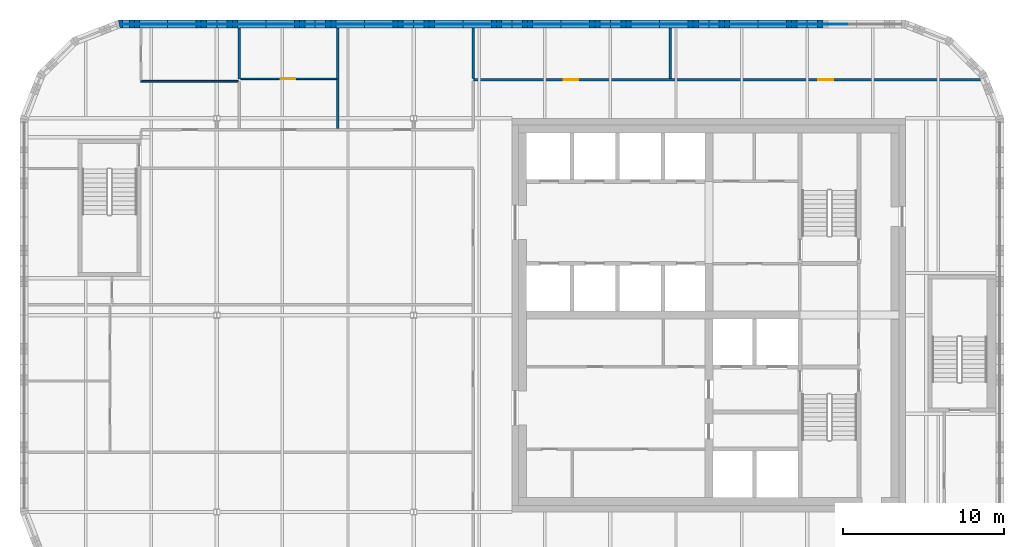
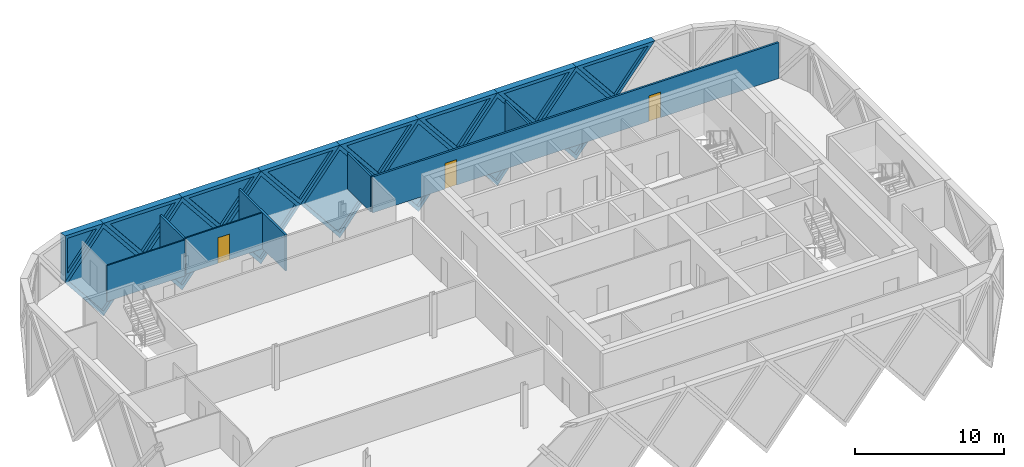
# One storey, part 10 of 12: 22 walls, 15 plates, 3 doors, 18 openings.
"""IFC4 building model written with IfcOpenShell, lengths in metres."""

from ifc_helpers import new_model, si_unit, direction, frame, frame_2d, origin, place, context, subcontext, project, spatial, polyline, rectangle, outline, extrude, faceted_brep, source, transform, mapped, material, layer, layer_set, type_object, element, fill, save


model = new_model("IFC4")

# Units and contexts
model_context = context("Model", 3, precision=1e-05, world=origin(), true_north=direction((0.0, 1.0)))
body_context = subcontext(model_context, "Body", "Model", "MODEL_VIEW")
ifc_project = project(units=[si_unit("LENGTHUNIT", "METRE"), si_unit("AREAUNIT", "SQUARE_METRE"), si_unit("VOLUMEUNIT", "CUBIC_METRE"), si_unit("PLANEANGLEUNIT", "RADIAN"), si_unit("MASSUNIT", "GRAM", prefix="KILO")], contexts=[model_context])

# Site, building, storey
site_placement = place(None, origin())
site = spatial("IfcSite", under=ifc_project, at=site_placement, CompositionType="ELEMENT")
building_placement = place(site_placement, origin())
building = spatial("IfcBuilding", under=site, at=building_placement, Name="Tessera Gate Towers", CompositionType="ELEMENT")
storey_placement = place(building_placement, frame((0.0, 0.0, 255.89990234375)))
storey = spatial("IfcBuildingStorey", under=building, at=storey_placement, Name="L64", CompositionType="ELEMENT", Elevation=255.89990234375)

# Wall, openings, doors
ifc_material_1 = material(Name="Gypsum board on steel studs, mineral wool", Category="steel")
ifc_layer_1 = layer(ifc_material_1, 0.14990234375)
ifc_layer_set_1 = layer_set([ifc_layer_1], Name="CORRIDOR WALL 150")
wall_type_1 = type_object("IfcWallType", Name="CORRIDOR WALL 150", PredefinedType="PARTITIONING", material=ifc_layer_set_1)
wall_1_placement = place(storey_placement, frame((28.10009765625, 51.199951171875, 0.0), z_axis=(0.0, 0.0, 1.0), x_axis=(1.0, 0.0, 0.0)))
wall_1 = element("IfcWall", 1, at=wall_1_placement, inside=storey, type_object=wall_type_1, Name="T1-L64-PW-025", PredefinedType="PARTITIONING", context=body_context, shape_type="SweptSolid", body=[
    extrude(rectangle(XDim=31.438232421875, YDim=0.14990234375, at=frame_2d((15.71923828125, 0.0))), origin(), (0.0, 0.0, 1.0), 2.947021484375),
])
shared_shape_1 = source(origin(), body_context, "Body", "SweptSolid", [
    extrude(rectangle(XDim=0.89990234375, YDim=2.10009765625, at=frame_2d((0.449951171875, 1.050048828125))), frame((0.0, 0.0849609375, 0.0), z_axis=(0.0, -1.0, 0.0), x_axis=(1.0, 0.0, 0.0)), (0.0, 0.0, 1.0), 0.169921875),
])
opening_1_placement = place(wall_1_placement, frame((5.60009765625, 0.0, 0.0)))
opening_1 = element("IfcOpeningElement", 2, at=opening_1_placement, cuts=wall_1, Name="Opening D890FD60-A22-06", PredefinedType="OPENING", context=body_context, shape_type="MappedRepresentation", body=[
    mapped(shared_shape_1, transform((0.0, 0.0, 0.0), scale=1.0)),
])
opening_2_placement = place(wall_1_placement, frame((21.39990234375, 0.0, 0.0)))
opening_2 = element("IfcOpeningElement", 3, at=opening_2_placement, cuts=wall_1, Name="Opening D890FD60-A22-09", PredefinedType="OPENING", context=body_context, shape_type="MappedRepresentation", body=[
    mapped(shared_shape_1, transform((0.0, 0.0, 0.0), scale=1.0)),
])
ifc_material_2 = material(Name="Timber door leaf in steel frame", Category="steel")
door_type_1 = type_object("IfcDoorType", Name="CORRIDOR DOOR 900 FD60", OperationType="NOTDEFINED", PredefinedType="DOOR", material=ifc_material_2)
shared_shape_2 = source(origin(), body_context, "Body", "SweptSolid", [
    extrude(rectangle(XDim=0.89990234375, YDim=2.10009765625, at=frame_2d((0.449951171875, 1.050048828125))), frame((0.0, 0.02490234375, 0.0), z_axis=(0.0, -1.0, 0.0), x_axis=(1.0, 0.0, 0.0)), (0.0, 0.0, 1.0), 0.050048828125),
])
door_1_placement = place(opening_1_placement, origin())
door_1 = element("IfcDoor", 4, at=door_1_placement, inside=storey, type_object=door_type_1, Name="T1-L64-PD-013", OperationType="SINGLE_SWING_LEFT", OverallHeight=2.10009765625, OverallWidth=0.89990234375, PredefinedType="DOOR", context=body_context, shape_type="MappedRepresentation", body=[
    mapped(shared_shape_2, transform((0.0, 0.0, 0.0), scale=1.0)),
])
fill(opening_1, door_1)
door_2_placement = place(opening_2_placement, origin())
door_2 = element("IfcDoor", 5, at=door_2_placement, inside=storey, type_object=door_type_1, Name="T1-L64-PD-016", OperationType="SINGLE_SWING_LEFT", OverallHeight=2.10009765625, OverallWidth=0.89990234375, PredefinedType="DOOR", context=body_context, shape_type="MappedRepresentation", body=[
    mapped(shared_shape_2, transform((0.0, 0.0, 0.0), scale=1.0)),
])
fill(opening_2, door_2)

# Wall
ifc_material_3 = material(Name="Gypsum board on steel studs", Category="steel")
ifc_layer_2 = layer(ifc_material_3, 0.10009765625)
ifc_layer_set_2 = layer_set([ifc_layer_2], Name="PARTITION 100")
wall_type_2 = type_object("IfcWallType", Name="PARTITION 100", PredefinedType="PARTITIONING", material=ifc_layer_set_2)
wall_2_placement = place(storey_placement, frame((7.5, 51.10009765625, 0.0), z_axis=(0.0, 0.0, 1.0), x_axis=(1.0, 0.0, 0.0)))
element("IfcWall", 6, at=wall_2_placement, inside=storey, type_object=wall_type_2, Name="T1-L64-PW-023", PredefinedType="PARTITIONING", context=body_context, shape_type="SweptSolid", body=[
    extrude(rectangle(XDim=6.02392578125, YDim=0.10009765625, at=frame_2d((3.011962890625, 0.0))), origin(), (0.0, 0.0, 1.0), 2.947021484375),
])

# Wall, opening, door
wall_3_placement = place(storey_placement, frame((13.676025390625, 51.25, 0.0), z_axis=(0.0, 0.0, 1.0), x_axis=(1.0, 0.0, 0.0)))
wall_3 = element("IfcWall", 7, at=wall_3_placement, inside=storey, type_object=wall_type_2, Name="T1-L64-PW-027", PredefinedType="PARTITIONING", context=body_context, shape_type="SweptSolid", body=[
    extrude(rectangle(XDim=5.947998046875, YDim=0.10009765625, at=frame_2d((2.97412109375, 0.0))), origin(), (0.0, 0.0, 1.0), 2.947021484375),
])
shared_shape_3 = source(origin(), body_context, "Body", "SweptSolid", [
    extrude(rectangle(XDim=0.89990234375, YDim=2.10009765625, at=frame_2d((0.449951171875, 1.050048828125))), frame((0.0, 0.06005859375, 0.0), z_axis=(0.0, -1.0, 0.0), x_axis=(1.0, 0.0, 0.0)), (0.0, 0.0, 1.0), 0.1201171875),
])
opening_3_placement = place(wall_3_placement, frame((2.5, 0.0, 0.0)))
opening_3 = element("IfcOpeningElement", 8, at=opening_3_placement, cuts=wall_3, Name="Opening D190-A22-03", PredefinedType="OPENING", context=body_context, shape_type="MappedRepresentation", body=[
    mapped(shared_shape_3, transform((0.0, 0.0, 0.0), scale=1.0)),
])
ifc_material_4 = material(Name="Timber door leaf in steel frame", Category="steel")
door_type_2 = type_object("IfcDoorType", Name="INTERNAL DOOR 900 NOT RATED", OperationType="NOTDEFINED", PredefinedType="DOOR", material=ifc_material_4)
door_3_placement = place(opening_3_placement, origin())
door_3 = element("IfcDoor", 9, at=door_3_placement, inside=storey, type_object=door_type_2, Name="T1-L64-PD-004", OperationType="SINGLE_SWING_LEFT", OverallHeight=2.10009765625, OverallWidth=0.89990234375, PredefinedType="DOOR", context=body_context, shape_type="MappedRepresentation", body=[
    mapped(shared_shape_2, transform((0.0, 0.0, 0.0), scale=1.0)),
])
fill(opening_3, door_3)

# Walls
ifc_material_5 = material(Name="Gypsum board on steel studs, mineral wool", Category="steel")
ifc_layer_3 = layer(ifc_material_5, 0.14990234375)
ifc_layer_set_3 = layer_set([ifc_layer_3], Name="TENANCY WALL 150")
wall_type_3 = type_object("IfcWallType", Name="TENANCY WALL 150", PredefinedType="PARTITIONING", material=ifc_layer_set_3)
wall_4_placement = place(storey_placement, frame((19.699951171875, 48.176025390625, 0.0), z_axis=(0.0, 0.0, 1.0), x_axis=(0.0, 1.0, 0.0)))
element("IfcWall", 10, at=wall_4_placement, inside=storey, type_object=wall_type_3, Name="T1-L64-PW-019", PredefinedType="PARTITIONING", context=body_context, shape_type="SweptSolid", body=[
    extrude(rectangle(XDim=6.223876953125, YDim=0.14990234375, at=frame_2d((3.11181640625, 0.0))), origin(), (0.0, 0.0, 1.0), 2.947021484375),
])
wall_5_placement = place(storey_placement, frame((13.60009765625, 51.25, 0.0), z_axis=(0.0, 0.0, 1.0), x_axis=(0.0, 1.0, 0.0)))
element("IfcWall", 11, at=wall_5_placement, inside=storey, type_object=wall_type_3, Name="T1-L64-PW-026", PredefinedType="PARTITIONING", context=body_context, shape_type="SweptSolid", body=[
    extrude(rectangle(XDim=3.14990234375, YDim=0.14990234375, at=frame_2d((1.574951171875, 0.0))), origin(), (0.0, 0.0, 1.0), 2.947021484375),
])
for number, where, z_axis, x_axis, name in (
    (12, (28.10009765625, 51.27587890625, 0.0), (0.0, 0.0, 1.0), (0.0, 1.0, 0.0), "T1-L64-PW-028"),
    (13, (40.300048828125, 51.27587890625, 0.0), (0.0, 0.0, 1.0), (0.0, 1.0, 0.0), "T1-L64-PW-029"),
):
    element("IfcWall", number, at=place(storey_placement, frame(where, z_axis=z_axis, x_axis=x_axis)), inside=storey, type_object=wall_type_3, Name=name, PredefinedType="PARTITIONING", context=body_context, shape_type="SweptSolid", body=[
        extrude(rectangle(XDim=3.1240234375, YDim=0.14990234375, at=frame_2d((1.56201171875, 0.0))), origin(), (0.0, 0.0, 1.0), 2.947021484375),
    ])

# Wall, opening, plate
ifc_material_6 = material(Name="Precast concrete C60/75 white", Category="concrete")
ifc_layer_4 = layer(ifc_material_6, 0.5)
ifc_layer_set_4 = layer_set([ifc_layer_4], Name="TS1 tessera")
wall_type_4 = type_object("IfcWallType", Name="TS1 tessera", PredefinedType="SOLIDWALL", material=ifc_layer_set_4)
shared_shape_4 = source(origin(), body_context, "Body", "Brep", [
    faceted_brep([(3.050048828125, -0.25, 0.0), (6.099853515625, -0.25, 3.799560546875), (6.099853515625, -0.25, 3.800048828125), (3.050048828125, -0.25, 7.599853515625), (0.0, -0.25, 3.7998046875), (0.0, 0.25, 3.7998046875), (3.050048828125, 0.25, 7.599853515625), (6.099853515625, 0.25, 3.800048828125), (6.099853515625, 0.25, 3.799560546875), (3.050048828125, 0.25, 0.0)], [[[0, 1, 2, 3, 4]], [[5, 6, 7, 8, 9]], [[9, 8, 1, 0]], [[7, 6, 3, 2]], [[6, 5, 4, 3]], [[5, 9, 0, 4]], [[1, 8, 7, 2]]]),
])
wall_6_placement = place(storey_placement, frame((42.699951171875, 54.64990234375, -3.7998046875), z_axis=(0.0, 0.0, 1.0), x_axis=(-1.0, 0.0, 0.0)))
wall_6 = element("IfcWall", 14, at=wall_6_placement, inside=storey, type_object=wall_type_4, Name="Precast tessera T1 TS1-1136", PredefinedType="SOLIDWALL", context=body_context, shape_type="MappedRepresentation", body=[
    mapped(shared_shape_4, transform((0.0, 0.0, 0.0), scale=1.0)),
])
shared_shape_5 = source(origin(), body_context, "Body", "SweptSolid", [
    extrude(outline(polyline([(3.050048828125, 0.3994140625), (5.779541015625, 3.7998046875), (3.050048828125, 7.200439453125), (0.320556640625, 3.7998046875), (3.050048828125, 0.3994140625)])), frame((0.0, 0.260009765625, 0.0), z_axis=(0.0, -1.0, 0.0), x_axis=(1.0, 0.0, 0.0)), (0.0, 0.0, 1.0), 0.52001953125),
])
opening_4_placement = place(wall_6_placement, origin())
opening_4 = element("IfcOpeningElement", 15, at=opening_4_placement, cuts=wall_6, Name="Opening T1-PL2-2292", PredefinedType="OPENING", context=body_context, shape_type="MappedRepresentation", body=[
    mapped(shared_shape_5, transform((0.0, 0.0, 0.0), scale=1.0)),
])
ifc_material_7 = material(Name="Low-e laminated glass", Category="glass")
ifc_layer_5 = layer(ifc_material_7, 0.06005859375)
ifc_layer_set_5 = layer_set([ifc_layer_5], Name="PL2 rhombic pane")
plate_type_1 = type_object("IfcPlateType", Name="PL2 rhombic pane", PredefinedType="SHEET", material=ifc_layer_set_5)
shared_shape_6 = source(origin(), body_context, "Body", "SweptSolid", [
    extrude(outline(polyline([(3.050048828125, 0.3994140625), (5.779541015625, 3.7998046875), (3.050048828125, 7.200439453125), (0.320556640625, 3.7998046875), (3.050048828125, 0.3994140625)])), frame((0.0, 0.030029296875, 0.0), z_axis=(0.0, -1.0, 0.0), x_axis=(1.0, 0.0, 0.0)), (0.0, 0.0, 1.0), 0.06005859375),
])
plate_1_placement = place(opening_4_placement, origin())
plate_1 = element("IfcPlate", 16, at=plate_1_placement, inside=storey, type_object=plate_type_1, Name="Glass pane T1 PL2-2292", PredefinedType="SHEET", context=body_context, shape_type="MappedRepresentation", body=[
    mapped(shared_shape_6, transform((0.0, 0.0, 0.0), scale=1.0)),
])
fill(opening_4, plate_1)

wall_7_placement = place(storey_placement, frame((24.39990234375, 54.64990234375, -3.7998046875), z_axis=(0.0, 0.0, 1.0), x_axis=(-1.0, 0.0, 0.0)))
wall_7 = element("IfcWall", 17, at=wall_7_placement, inside=storey, type_object=wall_type_4, Name="Precast tessera T1 TS1-1139", PredefinedType="SOLIDWALL", context=body_context, shape_type="MappedRepresentation", body=[
    mapped(shared_shape_4, transform((0.0, 0.0, 0.0), scale=1.0)),
])
opening_5_placement = place(wall_7_placement, origin())
opening_5 = element("IfcOpeningElement", 18, at=opening_5_placement, cuts=wall_7, Name="Opening T1-PL2-2295", PredefinedType="OPENING", context=body_context, shape_type="MappedRepresentation", body=[
    mapped(shared_shape_5, transform((0.0, 0.0, 0.0), scale=1.0)),
])
plate_2_placement = place(opening_5_placement, origin())
plate_2 = element("IfcPlate", 19, at=plate_2_placement, inside=storey, type_object=plate_type_1, Name="Glass pane T1 PL2-2295", PredefinedType="SHEET", context=body_context, shape_type="MappedRepresentation", body=[
    mapped(shared_shape_6, transform((0.0, 0.0, 0.0), scale=1.0)),
])
fill(opening_5, plate_2)

shared_shape_7 = source(origin(), body_context, "Body", "SweptSolid", [
    extrude(outline(polyline([(3.050048828125, 0.0), (6.10009765625, 3.7998046875), (3.050048828125, 7.599853515625), (0.0, 3.7998046875), (3.050048828125, 0.0)])), frame((0.0, 0.25, 0.0), z_axis=(0.0, -1.0, 0.0), x_axis=(1.0, 0.0, 0.0)), (0.0, 0.0, 1.0), 0.5),
])
wall_8_placement = place(storey_placement, frame((48.800048828125, 54.64990234375, -3.7998046875), z_axis=(0.0, 0.0, 1.0), x_axis=(-1.0, 0.0, 0.0)))
wall_8 = element("IfcWall", 20, at=wall_8_placement, inside=storey, type_object=wall_type_4, Name="Precast tessera T1 TS1-1135", PredefinedType="SOLIDWALL", context=body_context, shape_type="MappedRepresentation", body=[
    mapped(shared_shape_7, transform((0.0, 0.0, 0.0), scale=1.0)),
])
opening_6_placement = place(wall_8_placement, origin())
opening_6 = element("IfcOpeningElement", 21, at=opening_6_placement, cuts=wall_8, Name="Opening T1-PL2-2291", PredefinedType="OPENING", context=body_context, shape_type="MappedRepresentation", body=[
    mapped(shared_shape_5, transform((0.0, 0.0, 0.0), scale=1.0)),
])
plate_3_placement = place(opening_6_placement, origin())
plate_3 = element("IfcPlate", 22, at=plate_3_placement, inside=storey, type_object=plate_type_1, Name="Glass pane T1 PL2-2291", PredefinedType="SHEET", context=body_context, shape_type="MappedRepresentation", body=[
    mapped(shared_shape_6, transform((0.0, 0.0, 0.0), scale=1.0)),
])
fill(opening_6, plate_3)

wall_9_placement = place(storey_placement, frame((36.60009765625, 54.64990234375, -3.7998046875), z_axis=(0.0, 0.0, 1.0), x_axis=(-1.0, 0.0, 0.0)))
wall_9 = element("IfcWall", 23, at=wall_9_placement, inside=storey, type_object=wall_type_4, Name="Precast tessera T1 TS1-1137", PredefinedType="SOLIDWALL", context=body_context, shape_type="MappedRepresentation", body=[
    mapped(shared_shape_7, transform((0.0, 0.0, 0.0), scale=1.0)),
])
opening_7_placement = place(wall_9_placement, origin())
opening_7 = element("IfcOpeningElement", 24, at=opening_7_placement, cuts=wall_9, Name="Opening T1-PL2-2293", PredefinedType="OPENING", context=body_context, shape_type="MappedRepresentation", body=[
    mapped(shared_shape_5, transform((0.0, 0.0, 0.0), scale=1.0)),
])
plate_4_placement = place(opening_7_placement, origin())
plate_4 = element("IfcPlate", 25, at=plate_4_placement, inside=storey, type_object=plate_type_1, Name="Glass pane T1 PL2-2293", PredefinedType="SHEET", context=body_context, shape_type="MappedRepresentation", body=[
    mapped(shared_shape_6, transform((0.0, 0.0, 0.0), scale=1.0)),
])
fill(opening_7, plate_4)

wall_10_placement = place(storey_placement, frame((30.5, 54.64990234375, -3.7998046875), z_axis=(0.0, 0.0, 1.0), x_axis=(-1.0, 0.0, 0.0)))
wall_10 = element("IfcWall", 26, at=wall_10_placement, inside=storey, type_object=wall_type_4, Name="Precast tessera T1 TS1-1138", PredefinedType="SOLIDWALL", context=body_context, shape_type="MappedRepresentation", body=[
    mapped(shared_shape_7, transform((0.0, 0.0, 0.0), scale=1.0)),
])
opening_8_placement = place(wall_10_placement, origin())
opening_8 = element("IfcOpeningElement", 27, at=opening_8_placement, cuts=wall_10, Name="Opening T1-PL2-2294", PredefinedType="OPENING", context=body_context, shape_type="MappedRepresentation", body=[
    mapped(shared_shape_5, transform((0.0, 0.0, 0.0), scale=1.0)),
])
plate_5_placement = place(opening_8_placement, origin())
plate_5 = element("IfcPlate", 28, at=plate_5_placement, inside=storey, type_object=plate_type_1, Name="Glass pane T1 PL2-2294", PredefinedType="SHEET", context=body_context, shape_type="MappedRepresentation", body=[
    mapped(shared_shape_6, transform((0.0, 0.0, 0.0), scale=1.0)),
])
fill(opening_8, plate_5)

wall_11_placement = place(storey_placement, frame((18.300048828125, 54.64990234375, -3.7998046875), z_axis=(0.0, 0.0, 1.0), x_axis=(-1.0, 0.0, 0.0)))
wall_11 = element("IfcWall", 29, at=wall_11_placement, inside=storey, type_object=wall_type_4, Name="Precast tessera T1 TS1-1140", PredefinedType="SOLIDWALL", context=body_context, shape_type="MappedRepresentation", body=[
    mapped(shared_shape_7, transform((0.0, 0.0, 0.0), scale=1.0)),
])
opening_9_placement = place(wall_11_placement, origin())
opening_9 = element("IfcOpeningElement", 30, at=opening_9_placement, cuts=wall_11, Name="Opening T1-PL2-2296", PredefinedType="OPENING", context=body_context, shape_type="MappedRepresentation", body=[
    mapped(shared_shape_5, transform((0.0, 0.0, 0.0), scale=1.0)),
])
plate_6_placement = place(opening_9_placement, origin())
plate_6 = element("IfcPlate", 31, at=plate_6_placement, inside=storey, type_object=plate_type_1, Name="Glass pane T1 PL2-2296", PredefinedType="SHEET", context=body_context, shape_type="MappedRepresentation", body=[
    mapped(shared_shape_6, transform((0.0, 0.0, 0.0), scale=1.0)),
])
fill(opening_9, plate_6)

shared_shape_8 = source(origin(), body_context, "Body", "Brep", [
    faceted_brep([(3.050048828125, -0.25, 0.0), (6.053466796875, -0.25, 3.7998046875), (3.050048828125, -0.25, 7.599853515625), (0.0, -0.25, 3.7998046875), (0.0, 0.25, 3.7998046875), (3.050048828125, 0.25, 7.599853515625), (6.0068359375, 0.25, 3.858642578125), (6.0068359375, 0.25, 3.740966796875), (3.050048828125, 0.25, 0.0), (6.053466796875, 0.0, 3.7998046875)], [[[0, 1, 2, 3]], [[4, 5, 6, 7, 8]], [[8, 7, 9, 1, 0]], [[6, 5, 2, 1, 9]], [[5, 4, 3, 2]], [[4, 8, 0, 3]], [[9, 7, 6]]]),
])
wall_12_placement = place(storey_placement, frame((12.199951171875, 54.64990234375, -3.7998046875), z_axis=(0.0, 0.0, 1.0), x_axis=(-1.0, 0.0, 0.0)))
wall_12 = element("IfcWall", 32, at=wall_12_placement, inside=storey, type_object=wall_type_4, Name="Precast tessera T1 TS1-1141", PredefinedType="SOLIDWALL", context=body_context, shape_type="MappedRepresentation", body=[
    mapped(shared_shape_8, transform((0.0, 0.0, 0.0), scale=1.0)),
])
shared_shape_9 = source(origin(), body_context, "Body", "SweptSolid", [
    extrude(outline(polyline([(3.048583984375, 0.401123046875), (5.73486328125, 3.7998046875), (3.048583984375, 7.19873046875), (0.320556640625, 3.7998046875), (3.048583984375, 0.401123046875)])), frame((0.0, 0.260009765625, 0.0), z_axis=(0.0, -1.0, 0.0), x_axis=(1.0, 0.0, 0.0)), (0.0, 0.0, 1.0), 0.52001953125),
])
opening_10_placement = place(wall_12_placement, origin())
opening_10 = element("IfcOpeningElement", 33, at=opening_10_placement, cuts=wall_12, Name="Opening T1-PL2-2297", PredefinedType="OPENING", context=body_context, shape_type="MappedRepresentation", body=[
    mapped(shared_shape_9, transform((0.0, 0.0, 0.0), scale=1.0)),
])
shared_shape_10 = source(origin(), body_context, "Body", "SweptSolid", [
    extrude(outline(polyline([(3.048583984375, 0.401123046875), (5.73486328125, 3.7998046875), (3.048583984375, 7.19873046875), (0.320556640625, 3.7998046875), (3.048583984375, 0.401123046875)])), frame((0.0, 0.030029296875, 0.0), z_axis=(0.0, -1.0, 0.0), x_axis=(1.0, 0.0, 0.0)), (0.0, 0.0, 1.0), 0.06005859375),
])
plate_7_placement = place(opening_10_placement, origin())
plate_7 = element("IfcPlate", 34, at=plate_7_placement, inside=storey, type_object=plate_type_1, Name="Glass pane T1 PL2-2297", PredefinedType="SHEET", context=body_context, shape_type="MappedRepresentation", body=[
    mapped(shared_shape_10, transform((0.0, 0.0, 0.0), scale=1.0)),
])
fill(opening_10, plate_7)

ifc_material_8 = material(Name="Precast concrete C60/75 white", Category="concrete")
ifc_layer_6 = layer(ifc_material_8, 0.5)
ifc_layer_set_6 = layer_set([ifc_layer_6], Name="TS2 half tessera")
wall_type_5 = type_object("IfcWallType", Name="TS2 half tessera", PredefinedType="SOLIDWALL", material=ifc_layer_set_6)
shared_shape_11 = source(origin(), body_context, "Body", "Brep", [
    faceted_brep([(3.050048828125, -0.25, 0.0), (6.099853515625, -0.25, 3.7998046875), (6.099853515625, -0.25, 3.800048828125), (0.0, -0.25, 3.800048828125), (0.0, 0.25, 3.800048828125), (6.099853515625, 0.25, 3.800048828125), (6.099853515625, 0.25, 3.7998046875), (3.050048828125, 0.25, 0.0)], [[[0, 1, 2, 3]], [[4, 5, 6, 7]], [[7, 6, 1, 0]], [[5, 4, 3, 2]], [[4, 7, 0, 3]], [[1, 6, 5, 2]]]),
])
wall_13_placement = place(storey_placement, frame((39.64990234375, 54.64990234375, 0.0), z_axis=(0.0, 0.0, 1.0), x_axis=(-1.0, 0.0, 0.0)))
wall_13 = element("IfcWall", 35, at=wall_13_placement, inside=storey, type_object=wall_type_5, Name="Precast half tessera T1 TS2-0311", PredefinedType="SOLIDWALL", context=body_context, shape_type="MappedRepresentation", body=[
    mapped(shared_shape_11, transform((0.0, 0.0, 0.0), scale=1.0)),
])
shared_shape_12 = source(origin(), body_context, "Body", "SweptSolid", [
    extrude(outline(polyline([(3.050048828125, 0.3994140625), (5.578857421875, 3.550048828125), (0.521240234375, 3.550048828125), (3.050048828125, 0.3994140625)])), frame((0.0, 0.260009765625, 0.0), z_axis=(0.0, -1.0, 0.0), x_axis=(1.0, 0.0, 0.0)), (0.0, 0.0, 1.0), 0.52001953125),
])
opening_11_placement = place(wall_13_placement, origin())
opening_11 = element("IfcOpeningElement", 36, at=opening_11_placement, cuts=wall_13, Name="Opening T1-PL1-0631", PredefinedType="OPENING", context=body_context, shape_type="MappedRepresentation", body=[
    mapped(shared_shape_12, transform((0.0, 0.0, 0.0), scale=1.0)),
])
ifc_material_9 = material(Name="Low-e laminated glass", Category="glass")
ifc_layer_7 = layer(ifc_material_9, 0.06005859375)
ifc_layer_set_7 = layer_set([ifc_layer_7], Name="PL1 triangular pane")
plate_type_2 = type_object("IfcPlateType", Name="PL1 triangular pane", PredefinedType="SHEET", material=ifc_layer_set_7)
shared_shape_13 = source(origin(), body_context, "Body", "SweptSolid", [
    extrude(outline(polyline([(3.050048828125, 0.3994140625), (5.578857421875, 3.550048828125), (0.521240234375, 3.550048828125), (3.050048828125, 0.3994140625)])), frame((0.0, 0.030029296875, 0.0), z_axis=(0.0, -1.0, 0.0), x_axis=(1.0, 0.0, 0.0)), (0.0, 0.0, 1.0), 0.06005859375),
])
plate_8_placement = place(opening_11_placement, origin())
plate_8 = element("IfcPlate", 37, at=plate_8_placement, inside=storey, type_object=plate_type_2, Name="Glass pane T1 PL1-0631", PredefinedType="SHEET", context=body_context, shape_type="MappedRepresentation", body=[
    mapped(shared_shape_13, transform((0.0, 0.0, 0.0), scale=1.0)),
])
fill(opening_11, plate_8)

wall_14_placement = place(storey_placement, frame((27.449951171875, 54.64990234375, 0.0), z_axis=(0.0, 0.0, 1.0), x_axis=(-1.0, 0.0, 0.0)))
wall_14 = element("IfcWall", 38, at=wall_14_placement, inside=storey, type_object=wall_type_5, Name="Precast half tessera T1 TS2-0313", PredefinedType="SOLIDWALL", context=body_context, shape_type="MappedRepresentation", body=[
    mapped(shared_shape_11, transform((0.0, 0.0, 0.0), scale=1.0)),
])
opening_12_placement = place(wall_14_placement, origin())
opening_12 = element("IfcOpeningElement", 39, at=opening_12_placement, cuts=wall_14, Name="Opening T1-PL1-0633", PredefinedType="OPENING", context=body_context, shape_type="MappedRepresentation", body=[
    mapped(shared_shape_12, transform((0.0, 0.0, 0.0), scale=1.0)),
])
plate_9_placement = place(opening_12_placement, origin())
plate_9 = element("IfcPlate", 40, at=plate_9_placement, inside=storey, type_object=plate_type_2, Name="Glass pane T1 PL1-0633", PredefinedType="SHEET", context=body_context, shape_type="MappedRepresentation", body=[
    mapped(shared_shape_13, transform((0.0, 0.0, 0.0), scale=1.0)),
])
fill(opening_12, plate_9)

shared_shape_14 = source(origin(), body_context, "Body", "SweptSolid", [
    extrude(outline(polyline([(3.050048828125, 0.0), (6.10009765625, 3.800048828125), (0.0, 3.800048828125), (3.050048828125, 0.0)])), frame((0.0, 0.25, 0.0), z_axis=(0.0, -1.0, 0.0), x_axis=(1.0, 0.0, 0.0)), (0.0, 0.0, 1.0), 0.5),
])
wall_15_placement = place(storey_placement, frame((51.85009765625, 54.64990234375, 0.0), z_axis=(0.0, 0.0, 1.0), x_axis=(-1.0, 0.0, 0.0)))
wall_15 = element("IfcWall", 41, at=wall_15_placement, inside=storey, type_object=wall_type_5, Name="Precast half tessera T1 TS2-0309", PredefinedType="SOLIDWALL", context=body_context, shape_type="MappedRepresentation", body=[
    mapped(shared_shape_14, transform((0.0, 0.0, 0.0), scale=1.0)),
])
opening_13_placement = place(wall_15_placement, origin())
opening_13 = element("IfcOpeningElement", 42, at=opening_13_placement, cuts=wall_15, Name="Opening T1-PL1-0629", PredefinedType="OPENING", context=body_context, shape_type="MappedRepresentation", body=[
    mapped(shared_shape_12, transform((0.0, 0.0, 0.0), scale=1.0)),
])
plate_10_placement = place(opening_13_placement, origin())
plate_10 = element("IfcPlate", 43, at=plate_10_placement, inside=storey, type_object=plate_type_2, Name="Glass pane T1 PL1-0629", PredefinedType="SHEET", context=body_context, shape_type="MappedRepresentation", body=[
    mapped(shared_shape_13, transform((0.0, 0.0, 0.0), scale=1.0)),
])
fill(opening_13, plate_10)

wall_16_placement = place(storey_placement, frame((45.75, 54.64990234375, 0.0), z_axis=(0.0, 0.0, 1.0), x_axis=(-1.0, 0.0, 0.0)))
wall_16 = element("IfcWall", 44, at=wall_16_placement, inside=storey, type_object=wall_type_5, Name="Precast half tessera T1 TS2-0310", PredefinedType="SOLIDWALL", context=body_context, shape_type="MappedRepresentation", body=[
    mapped(shared_shape_14, transform((0.0, 0.0, 0.0), scale=1.0)),
])
opening_14_placement = place(wall_16_placement, origin())
opening_14 = element("IfcOpeningElement", 45, at=opening_14_placement, cuts=wall_16, Name="Opening T1-PL1-0630", PredefinedType="OPENING", context=body_context, shape_type="MappedRepresentation", body=[
    mapped(shared_shape_12, transform((0.0, 0.0, 0.0), scale=1.0)),
])
plate_11_placement = place(opening_14_placement, origin())
plate_11 = element("IfcPlate", 46, at=plate_11_placement, inside=storey, type_object=plate_type_2, Name="Glass pane T1 PL1-0630", PredefinedType="SHEET", context=body_context, shape_type="MappedRepresentation", body=[
    mapped(shared_shape_13, transform((0.0, 0.0, 0.0), scale=1.0)),
])
fill(opening_14, plate_11)

wall_17_placement = place(storey_placement, frame((33.550048828125, 54.64990234375, 0.0), z_axis=(0.0, 0.0, 1.0), x_axis=(-1.0, 0.0, 0.0)))
wall_17 = element("IfcWall", 47, at=wall_17_placement, inside=storey, type_object=wall_type_5, Name="Precast half tessera T1 TS2-0312", PredefinedType="SOLIDWALL", context=body_context, shape_type="MappedRepresentation", body=[
    mapped(shared_shape_14, transform((0.0, 0.0, 0.0), scale=1.0)),
])
opening_15_placement = place(wall_17_placement, origin())
opening_15 = element("IfcOpeningElement", 48, at=opening_15_placement, cuts=wall_17, Name="Opening T1-PL1-0632", PredefinedType="OPENING", context=body_context, shape_type="MappedRepresentation", body=[
    mapped(shared_shape_12, transform((0.0, 0.0, 0.0), scale=1.0)),
])
plate_12_placement = place(opening_15_placement, origin())
plate_12 = element("IfcPlate", 49, at=plate_12_placement, inside=storey, type_object=plate_type_2, Name="Glass pane T1 PL1-0632", PredefinedType="SHEET", context=body_context, shape_type="MappedRepresentation", body=[
    mapped(shared_shape_13, transform((0.0, 0.0, 0.0), scale=1.0)),
])
fill(opening_15, plate_12)

wall_18_placement = place(storey_placement, frame((21.35009765625, 54.64990234375, 0.0), z_axis=(0.0, 0.0, 1.0), x_axis=(-1.0, 0.0, 0.0)))
wall_18 = element("IfcWall", 50, at=wall_18_placement, inside=storey, type_object=wall_type_5, Name="Precast half tessera T1 TS2-0314", PredefinedType="SOLIDWALL", context=body_context, shape_type="MappedRepresentation", body=[
    mapped(shared_shape_14, transform((0.0, 0.0, 0.0), scale=1.0)),
])
opening_16_placement = place(wall_18_placement, origin())
opening_16 = element("IfcOpeningElement", 51, at=opening_16_placement, cuts=wall_18, Name="Opening T1-PL1-0634", PredefinedType="OPENING", context=body_context, shape_type="MappedRepresentation", body=[
    mapped(shared_shape_12, transform((0.0, 0.0, 0.0), scale=1.0)),
])
plate_13_placement = place(opening_16_placement, origin())
plate_13 = element("IfcPlate", 52, at=plate_13_placement, inside=storey, type_object=plate_type_2, Name="Glass pane T1 PL1-0634", PredefinedType="SHEET", context=body_context, shape_type="MappedRepresentation", body=[
    mapped(shared_shape_13, transform((0.0, 0.0, 0.0), scale=1.0)),
])
fill(opening_16, plate_13)

wall_19_placement = place(storey_placement, frame((15.25, 54.64990234375, 0.0), z_axis=(0.0, 0.0, 1.0), x_axis=(-1.0, 0.0, 0.0)))
wall_19 = element("IfcWall", 53, at=wall_19_placement, inside=storey, type_object=wall_type_5, Name="Precast half tessera T1 TS2-0315", PredefinedType="SOLIDWALL", context=body_context, shape_type="MappedRepresentation", body=[
    mapped(shared_shape_14, transform((0.0, 0.0, 0.0), scale=1.0)),
])
opening_17_placement = place(wall_19_placement, origin())
opening_17 = element("IfcOpeningElement", 54, at=opening_17_placement, cuts=wall_19, Name="Opening T1-PL1-0635", PredefinedType="OPENING", context=body_context, shape_type="MappedRepresentation", body=[
    mapped(shared_shape_12, transform((0.0, 0.0, 0.0), scale=1.0)),
])
plate_14_placement = place(opening_17_placement, origin())
plate_14 = element("IfcPlate", 55, at=plate_14_placement, inside=storey, type_object=plate_type_2, Name="Glass pane T1 PL1-0635", PredefinedType="SHEET", context=body_context, shape_type="MappedRepresentation", body=[
    mapped(shared_shape_13, transform((0.0, 0.0, 0.0), scale=1.0)),
])
fill(opening_17, plate_14)

ifc_material_10 = material(Name="Precast concrete C60/75 white", Category="concrete")
ifc_layer_8 = layer(ifc_material_10, 0.5)
ifc_layer_set_8 = layer_set([ifc_layer_8], Name="TS3 corner tessera")
wall_type_6 = type_object("IfcWallType", Name="TS3 corner tessera", PredefinedType="SOLIDWALL", material=ifc_layer_set_8)
shared_shape_15 = source(origin(), body_context, "Body", "Brep", [
    faceted_brep([(3.00341796875, -0.25, 0.0), (3.050048828125, -0.25, 0.06005859375), (3.050048828125, -0.25, 3.800048828125), (0.0, -0.25, 3.800048828125), (0.0, 0.25, 3.800048828125), (2.956787109375, 0.25, 3.800048828125), (2.956787109375, 0.25, 0.058837890625), (3.00341796875, 0.000244140625, 0.0)], [[[0, 1, 2, 3]], [[4, 5, 6]], [[1, 0, 7]], [[5, 4, 3, 2]], [[4, 6, 7, 0, 3]], [[1, 7, 6, 5, 2]]]),
])
wall_20_placement = place(storey_placement, frame((9.14990234375, 54.64990234375, 0.0), z_axis=(0.0, 0.0, 1.0), x_axis=(-1.0, 0.0, 0.0)))
wall_20 = element("IfcWall", 56, at=wall_20_placement, inside=storey, type_object=wall_type_6, Name="Precast corner tessera T1 TS3-1475", PredefinedType="SOLIDWALL", context=body_context, shape_type="MappedRepresentation", body=[
    mapped(shared_shape_15, transform((0.0, 0.0, 0.0), scale=1.0)),
])
shared_shape_16 = source(origin(), body_context, "Body", "SweptSolid", [
    extrude(outline(polyline([(2.803466796875, 3.550048828125), (0.516357421875, 3.550048828125), (2.803466796875, 0.65625), (2.803466796875, 3.550048828125)])), frame((0.0, 0.260009765625, 0.0), z_axis=(0.0, -1.0, 0.0), x_axis=(1.0, 0.0, 0.0)), (0.0, 0.0, 1.0), 0.52001953125),
])
opening_18_placement = place(wall_20_placement, origin())
opening_18 = element("IfcOpeningElement", 57, at=opening_18_placement, cuts=wall_20, Name="Opening T1-PL1-0636", PredefinedType="OPENING", context=body_context, shape_type="MappedRepresentation", body=[
    mapped(shared_shape_16, transform((0.0, 0.0, 0.0), scale=1.0)),
])
shared_shape_17 = source(origin(), body_context, "Body", "SweptSolid", [
    extrude(outline(polyline([(2.803466796875, 3.550048828125), (0.516357421875, 3.550048828125), (2.803466796875, 0.65625), (2.803466796875, 3.550048828125)])), frame((0.0, 0.030029296875, 0.0), z_axis=(0.0, -1.0, 0.0), x_axis=(1.0, 0.0, 0.0)), (0.0, 0.0, 1.0), 0.06005859375),
])
plate_15_placement = place(opening_18_placement, origin())
plate_15 = element("IfcPlate", 58, at=plate_15_placement, inside=storey, type_object=plate_type_2, Name="Glass pane T1 PL1-0636", PredefinedType="SHEET", context=body_context, shape_type="MappedRepresentation", body=[
    mapped(shared_shape_17, transform((0.0, 0.0, 0.0), scale=1.0)),
])
fill(opening_18, plate_15)

save(model, "model.ifc")
